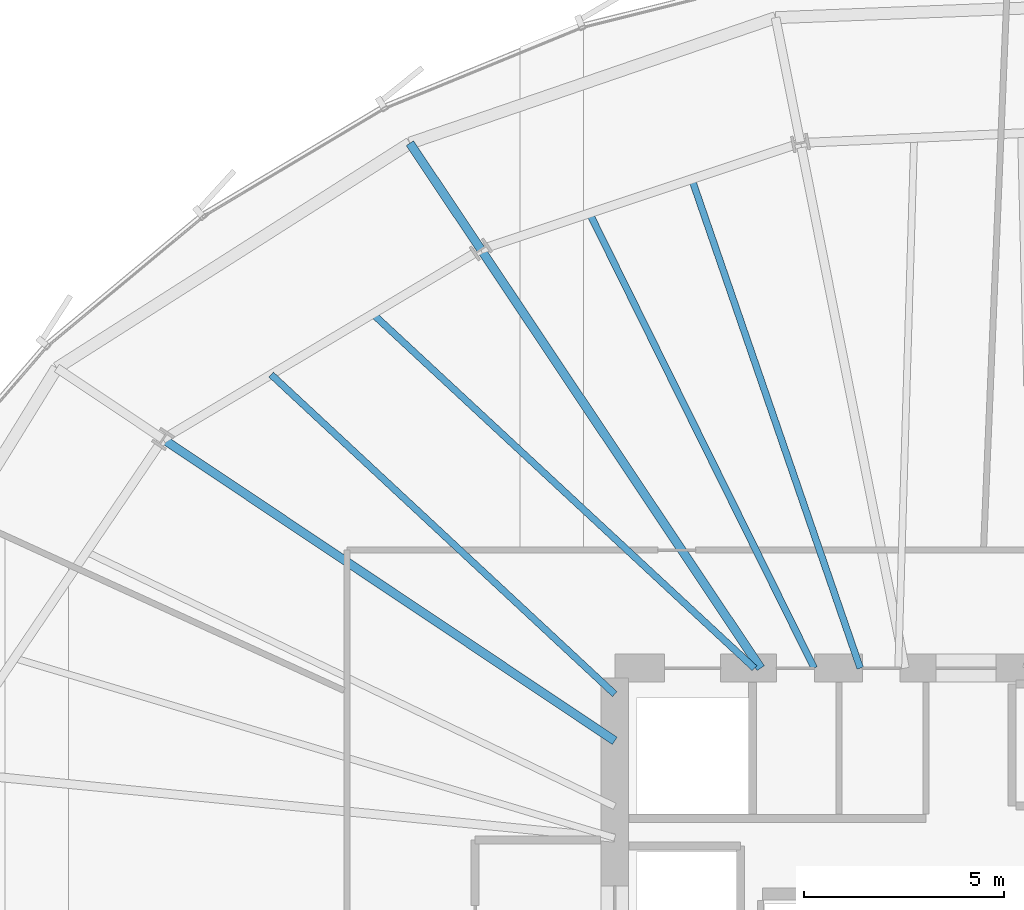
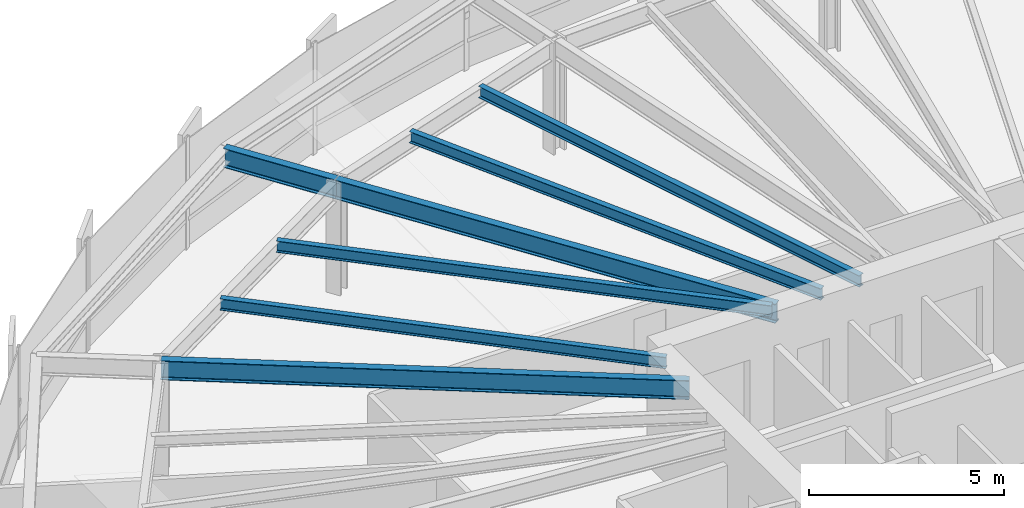
# One storey, part 19 of 35: 7 beams.
"""IFC4 building model written with IfcOpenShell, lengths in metres."""

from ifc_helpers import new_model, si_unit, direction, frame, origin, origin_2d, place, context, subcontext, project, spatial, i_section, extrude, source, transform, mapped, material, material_profile, profile_set, type_object, element, save


model = new_model("IFC4")

# Units and contexts
model_context = context("Model", 3, precision=1e-05, world=origin(), true_north=direction((0.0, 1.0)))
body_context = subcontext(model_context, "Body", "Model", "MODEL_VIEW")
ifc_project = project(units=[si_unit("LENGTHUNIT", "METRE"), si_unit("AREAUNIT", "SQUARE_METRE"), si_unit("VOLUMEUNIT", "CUBIC_METRE"), si_unit("PLANEANGLEUNIT", "RADIAN"), si_unit("MASSUNIT", "GRAM", prefix="KILO"), si_unit("THERMODYNAMICTEMPERATUREUNIT", "KELVIN")], contexts=[model_context])

# Site, building, storey
site_placement = place(None, origin())
site = spatial("IfcSite", under=ifc_project, at=site_placement, CompositionType="ELEMENT")
building_placement = place(site_placement, origin())
building = spatial("IfcBuilding", under=site, at=building_placement, Name="Kethvar Cultural Tower", CompositionType="ELEMENT")
storey_placement = place(building_placement, frame((0.0, 0.0, 71.39990234375)))
storey = spatial("IfcBuildingStorey", under=building, at=storey_placement, Name="L17", CompositionType="ELEMENT", Elevation=71.39990234375)

# Beams
ifc_material = material(Name="Steel S355J2", Category="steel")
ifc_material_profile_1 = material_profile(ifc_material, i_section(OverallWidth=0.219970703125, OverallDepth=0.60009765625, WebThickness=0.011962890625, FlangeThickness=0.01904296875, FilletRadius=0.02392578125, at=origin_2d()), Name="Steel S355J2 — IPE600")
ifc_profile_set_1 = profile_set([ifc_material_profile_1], Name="Steel S355J2 — IPE600")
beam_type_1 = type_object("IfcBeamType", Name="BM-IPE600", PredefinedType="BEAM", material=ifc_profile_set_1)
shared_shape_1 = source(origin(), body_context, "Body", "SweptSolid", [
    extrude(i_section(OverallWidth=0.219970703125, OverallDepth=0.60009765625, WebThickness=0.011962890625, FlangeThickness=0.01904296875, FilletRadius=0.02392578125, at=origin_2d()), origin(), (0.0, 0.0, 1.0), 3.199951171875),
])
beam_1_placement = place(storey_placement, frame((34.64599609375, 45.98974609375, 3.238037109375), z_axis=(-0.555580212716, 0.831462943996, 0.0), x_axis=(-0.831462943996, -0.555580212716, 0.0)))
element("IfcBeam", 1, at=beam_1_placement, inside=storey, type_object=beam_type_1, Name="L17 Perimeter Cantilever Beam RC-06", PredefinedType="BEAM", context=body_context, shape_type="MappedRepresentation", body=[
    mapped(shared_shape_1, transform((0.0, 0.0, 0.0), scale=1.0)),
])
shared_shape_2 = source(origin(), body_context, "Body", "SweptSolid", [
    extrude(i_section(OverallWidth=0.219970703125, OverallDepth=0.60009765625, WebThickness=0.011962890625, FlangeThickness=0.01904296875, FilletRadius=0.02392578125, at=origin_2d()), origin(), (0.0, 0.0, 1.0), 12.615966796875),
])
beam_2_placement = place(storey_placement, frame((41.655029296875, 35.5, 3.238037109375), z_axis=(-0.555570723257, 0.831469284736, 0.0), x_axis=(-0.831469284736, -0.555570723257, 0.0)))
element("IfcBeam", 2, at=beam_2_placement, inside=storey, type_object=beam_type_1, Name="L17 Primary Radial Beam RB-06", PredefinedType="BEAM", context=body_context, shape_type="MappedRepresentation", body=[
    mapped(shared_shape_2, transform((0.0, 0.0, 0.0), scale=1.0)),
])
shared_shape_3 = source(origin(), body_context, "Body", "SweptSolid", [
    extrude(i_section(OverallWidth=0.219970703125, OverallDepth=0.60009765625, WebThickness=0.011962890625, FlangeThickness=0.01904296875, FilletRadius=0.02392578125, at=origin_2d()), origin(), (0.0, 0.0, 1.0), 13.60888671875),
])
beam_3_placement = place(storey_placement, frame((38.0, 33.679931640625, 3.238037109375), z_axis=(-0.831467486755, 0.555573414113, 0.0), x_axis=(-0.555573414113, -0.831467486755, 0.0)))
element("IfcBeam", 3, at=beam_3_placement, inside=storey, type_object=beam_type_1, Name="L17 Primary Radial Beam RB-07", PredefinedType="BEAM", context=body_context, shape_type="MappedRepresentation", body=[
    mapped(shared_shape_3, transform((0.0, 0.0, 0.0), scale=1.0)),
])
ifc_material_profile_2 = material_profile(ifc_material, i_section(OverallWidth=0.169921875, OverallDepth=0.360107421875, WebThickness=0.008056640625, FlangeThickness=0.0126953125, FilletRadius=0.01806640625, at=origin_2d()), Name="Steel S355J2 — IPE360")
ifc_profile_set_2 = profile_set([ifc_material_profile_2], Name="Steel S355J2 — IPE360")
beam_type_2 = type_object("IfcBeamType", Name="BM-J360", PredefinedType="JOIST", material=ifc_profile_set_2)
shared_shape_4 = source(origin(), body_context, "Body", "SweptSolid", [
    extrude(i_section(OverallWidth=0.169921875, OverallDepth=0.360107421875, WebThickness=0.008056640625, FlangeThickness=0.0126953125, FilletRadius=0.01806640625, at=origin_2d()), origin(), (0.0, 0.0, 1.0), 12.955322265625),
])
beam_4_placement = place(storey_placement, frame((44.148193359375, 35.5, 3.358154296875), z_axis=(-0.325619549533, 0.945500877293, 0.0), x_axis=(-0.945500877293, -0.325619549533, 0.0)))
element("IfcBeam", 4, at=beam_4_placement, inside=storey, type_object=beam_type_2, Name="L17 Composite Floor Joist J-05A", PredefinedType="JOIST", context=body_context, shape_type="MappedRepresentation", body=[
    mapped(shared_shape_4, transform((0.0, 0.0, 0.0), scale=1.0)),
])
shared_shape_5 = source(origin(), body_context, "Body", "SweptSolid", [
    extrude(i_section(OverallWidth=0.169921875, OverallDepth=0.360107421875, WebThickness=0.008056640625, FlangeThickness=0.0126953125, FilletRadius=0.01806640625, at=origin_2d()), origin(), (0.0, 0.0, 1.0), 12.710693359375),
])
beam_5_placement = place(storey_placement, frame((42.996826171875, 35.5, 3.358154296875), z_axis=(-0.442851992051, 0.896594731825, 0.0), x_axis=(-0.896594731825, -0.442851992051, 0.0)))
element("IfcBeam", 5, at=beam_5_placement, inside=storey, type_object=beam_type_2, Name="L17 Composite Floor Joist J-05B", PredefinedType="JOIST", context=body_context, shape_type="MappedRepresentation", body=[
    mapped(shared_shape_5, transform((0.0, 0.0, 0.0), scale=1.0)),
])
shared_shape_6 = source(origin(), body_context, "Body", "SweptSolid", [
    extrude(i_section(OverallWidth=0.169921875, OverallDepth=0.360107421875, WebThickness=0.008056640625, FlangeThickness=0.0126953125, FilletRadius=0.01806640625, at=origin_2d()), origin(), (0.0, 0.0, 1.0), 13.045166015625),
])
beam_6_placement = place(storey_placement, frame((41.5, 35.5, 3.358154296875), z_axis=(-0.732903465528, 0.680332646737, 0.0), x_axis=(-0.680332646737, -0.732903465528, 0.0)))
element("IfcBeam", 6, at=beam_6_placement, inside=storey, type_object=beam_type_2, Name="L17 Composite Floor Joist J-06A", PredefinedType="JOIST", context=body_context, shape_type="MappedRepresentation", body=[
    mapped(shared_shape_6, transform((0.0, 0.0, 0.0), scale=1.0)),
])
shared_shape_7 = source(origin(), body_context, "Body", "SweptSolid", [
    extrude(i_section(OverallWidth=0.169921875, OverallDepth=0.360107421875, WebThickness=0.008056640625, FlangeThickness=0.0126953125, FilletRadius=0.01806640625, at=origin_2d()), origin(), (0.0, 0.0, 1.0), 11.75537109375),
])
beam_7_placement = place(storey_placement, frame((38.0, 34.85009765625, 3.358154296875), z_axis=(-0.732290300234, 0.680992596276, 0.0), x_axis=(-0.680992596276, -0.732290300234, 0.0)))
element("IfcBeam", 7, at=beam_7_placement, inside=storey, type_object=beam_type_2, Name="L17 Composite Floor Joist J-06B", PredefinedType="JOIST", context=body_context, shape_type="MappedRepresentation", body=[
    mapped(shared_shape_7, transform((0.0, 0.0, 0.0), scale=1.0)),
])

save(model, "model.ifc")
